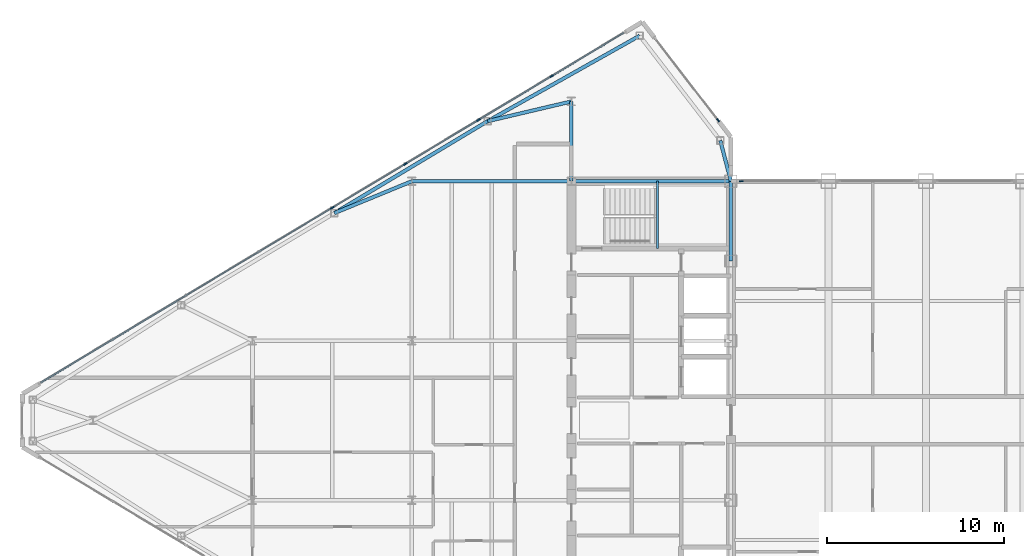
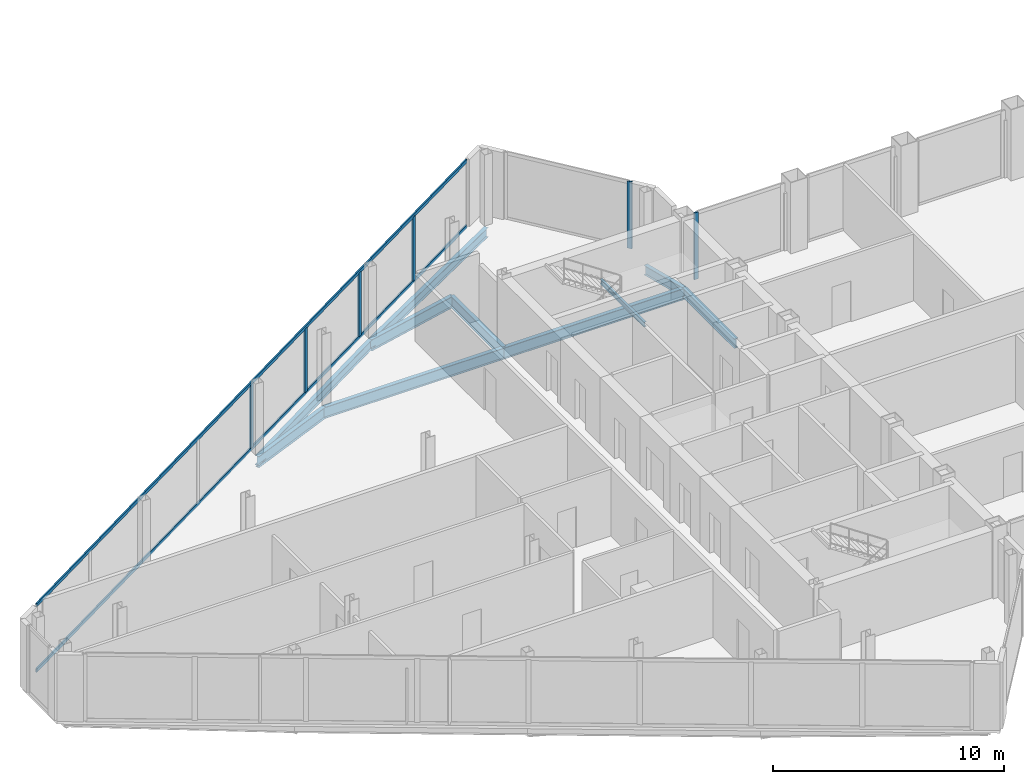
# One storey, part 11 of 29: 10 beams, 8 members, 3 elements without a shape of their own.
"""IFC4 building model written with IfcOpenShell, lengths in metres."""

from ifc_helpers import new_model, si_unit, direction, frame, origin, origin_2d, place, context, subcontext, project, spatial, rectangle, i_section, extrude, source, transform, mapped, material, layer, layer_set, material_profile, profile_set, type_object, type_shapes, element, aggregate, save


model = new_model("IFC4")

# Units and contexts
model_context = context("Model", 3, precision=1e-05, world=origin(), true_north=direction((0.0, 1.0)))
body_context = subcontext(model_context, "Body", "Model", "MODEL_VIEW")
ifc_project = project(units=[si_unit("LENGTHUNIT", "METRE"), si_unit("AREAUNIT", "SQUARE_METRE"), si_unit("VOLUMEUNIT", "CUBIC_METRE"), si_unit("PLANEANGLEUNIT", "RADIAN"), si_unit("MASSUNIT", "GRAM", prefix="KILO")], contexts=[model_context])

# Site, building, storey
site_placement = place(None, origin())
site = spatial("IfcSite", under=ifc_project, at=site_placement, CompositionType="ELEMENT")
building_placement = place(site_placement, origin())
building = spatial("IfcBuilding", under=site, at=building_placement, Name="Seokmaru Belvedere", CompositionType="ELEMENT")
storey_placement = place(building_placement, frame((0.0, 0.0, 254.39990234375)))
storey = spatial("IfcBuildingStorey", under=building, at=storey_placement, Name="L67", CompositionType="ELEMENT", Elevation=254.39990234375)

# Beams
ifc_material_1 = material(Name="Steel SM355 (355 MPa)", Category="steel")
ifc_material_profile_1 = material_profile(ifc_material_1, i_section(OverallWidth=0.199951171875, OverallDepth=0.5, WebThickness=0.010009765625, FlangeThickness=0.01611328125, at=origin_2d()), Name="H-500x200x10x16")
ifc_profile_set_1 = profile_set([ifc_material_profile_1], Name="Steel SM355 (355 MPa)")
beam_type_1 = type_object("IfcBeamType", Name="Perimeter Spandrel Beam H-500", PredefinedType="SPANDREL", material=ifc_profile_set_1)
shared_shape_1 = source(origin(), body_context, "Body", "SweptSolid", [
    extrude(i_section(OverallWidth=0.199951171875, OverallDepth=0.5, WebThickness=0.010009765625, FlangeThickness=0.01611328125, at=origin_2d()), origin(), (0.0, 0.0, 1.0), 4.5),
])
beam_1_placement = place(storey_placement, frame((-27.5, 9.0, -0.469970703125), z_axis=(0.0, 1.0, 0.0), x_axis=(-1.0, 0.0, 0.0)))
element("IfcBeam", 1, at=beam_1_placement, inside=storey, type_object=beam_type_1, Name="L67 W Portal Spine Spandrel 5", PredefinedType="SPANDREL", context=body_context, shape_type="MappedRepresentation", body=[
    mapped(shared_shape_1, transform((0.0, 0.0, 0.0), scale=1.0)),
])
ifc_material_profile_2 = material_profile(ifc_material_1, i_section(OverallWidth=0.199951171875, OverallDepth=0.60009765625, WebThickness=0.010986328125, FlangeThickness=0.01708984375, at=origin_2d()), Name="H-600x200x11x17")
ifc_profile_set_2 = profile_set([ifc_material_profile_2], Name="Steel SM355 (355 MPa)")
beam_type_2 = type_object("IfcBeamType", Name="Primary Floor Girder H-600", PredefinedType="BEAM", material=ifc_profile_set_2)
shared_shape_2 = source(origin(), body_context, "Body", "SweptSolid", [
    extrude(i_section(OverallWidth=0.199951171875, OverallDepth=0.60009765625, WebThickness=0.010986328125, FlangeThickness=0.01708984375, at=origin_2d()), origin(), (0.0, 0.0, 1.0), 9.0),
])
for number, where, z_axis, x_axis, name in (
    (2, (-36.5, 13.5, -0.52001953125), (1.0, 0.0, 0.0), (0.0, 1.0, 0.0), "L67 W Core Tie Girder 4"),
    (3, (-45.5, 13.5, -0.52001953125), (1.0, 0.0, 0.0), (0.0, 1.0, 0.0), "L67 W Wing Primary Girder 4"),
):
    element("IfcBeam", number, at=place(storey_placement, frame(where, z_axis=z_axis, x_axis=x_axis)), inside=storey, type_object=beam_type_2, Name=name, PredefinedType="BEAM", context=body_context, shape_type="MappedRepresentation", body=[
        mapped(shared_shape_2, transform((0.0, 0.0, 0.0), scale=1.0)),
    ])
shared_shape_3 = source(origin(), body_context, "Body", "SweptSolid", [
    extrude(i_section(OverallWidth=0.199951171875, OverallDepth=0.60009765625, WebThickness=0.010986328125, FlangeThickness=0.01708984375, at=origin_2d()), origin(), (0.0, 0.0, 1.0), 4.5),
])
beam_2_placement = place(storey_placement, frame((-36.5, 13.5, -0.52001953125), z_axis=(0.0, 1.0, 0.0), x_axis=(-1.0, 0.0, 0.0)))
element("IfcBeam", 4, at=beam_2_placement, inside=storey, type_object=beam_type_2, Name="L67 W Core Shoulder Girder N", PredefinedType="BEAM", context=body_context, shape_type="MappedRepresentation", body=[
    mapped(shared_shape_3, transform((0.0, 0.0, 0.0), scale=1.0)),
])
shared_shape_4 = source(origin(), body_context, "Body", "SweptSolid", [
    extrude(i_section(OverallWidth=0.199951171875, OverallDepth=0.5, WebThickness=0.010009765625, FlangeThickness=0.01611328125, at=origin_2d()), origin(), (0.0, 0.0, 1.0), 9.842041015625),
])
beam_3_placement = place(storey_placement, frame((-32.649658203125, 21.71044921875, -0.469970703125), z_axis=(-0.871782151818, -0.489893743349, 0.0), x_axis=(0.489893743349, -0.871782151818, 0.0)))
element("IfcBeam", 5, at=beam_3_placement, inside=storey, type_object=beam_type_1, Name="L67 W Faceted Flank Spandrel N-1", PredefinedType="SPANDREL", context=body_context, shape_type="MappedRepresentation", body=[
    mapped(shared_shape_4, transform((0.0, 0.0, 0.0), scale=1.0)),
])
shared_shape_5 = source(origin(), body_context, "Body", "SweptSolid", [
    extrude(i_section(OverallWidth=0.199951171875, OverallDepth=0.5, WebThickness=0.010009765625, FlangeThickness=0.01611328125, at=origin_2d()), origin(), (0.0, 0.0, 1.0), 10.087646484375),
])
beam_4_placement = place(storey_placement, frame((-41.229736328125, 16.888916015625, -0.469970703125), z_axis=(-0.857499332045, -0.514485078056, 0.0), x_axis=(0.514485078056, -0.857499332045, 0.0)))
element("IfcBeam", 6, at=beam_4_placement, inside=storey, type_object=beam_type_1, Name="L67 W Faceted Flank Spandrel N-2", PredefinedType="SPANDREL", context=body_context, shape_type="MappedRepresentation", body=[
    mapped(shared_shape_5, transform((0.0, 0.0, 0.0), scale=1.0)),
])
shared_shape_6 = source(origin(), body_context, "Body", "SweptSolid", [
    extrude(i_section(OverallWidth=0.199951171875, OverallDepth=0.5, WebThickness=0.010009765625, FlangeThickness=0.01611328125, at=origin_2d()), origin(), (0.0, 0.0, 1.0), 2.373046875),
])
type_shapes(beam_type_1, [shared_shape_1, shared_shape_4, shared_shape_5, shared_shape_6])
beam_5_placement = place(storey_placement, frame((-28.10009765625, 15.7958984375, -0.469970703125), z_axis=(0.252882558842, -0.967496982648, 0.0), x_axis=(0.967496982648, 0.252882558842, 0.0)))
element("IfcBeam", 7, at=beam_5_placement, inside=storey, type_object=beam_type_1, Name="L67 W Shoulder Spine Spandrel N", PredefinedType="SPANDREL", context=body_context, shape_type="MappedRepresentation", body=[
    mapped(shared_shape_6, transform((0.0, 0.0, 0.0), scale=1.0)),
])
shared_shape_7 = source(origin(), body_context, "Body", "SweptSolid", [
    extrude(i_section(OverallWidth=0.199951171875, OverallDepth=0.60009765625, WebThickness=0.010986328125, FlangeThickness=0.01708984375, at=origin_2d()), origin(), (0.0, 0.0, 1.0), 4.8583984375),
])
beam_6_placement = place(storey_placement, frame((-41.229736328125, 16.888916015625, -0.52001953125), z_axis=(0.97349948295, 0.228689214211, 0.0), x_axis=(-0.228689214211, 0.97349948295, 0.0)))
element("IfcBeam", 8, at=beam_6_placement, inside=storey, type_object=beam_type_2, Name="L67 W Flank Radial Floor Girder N-1", PredefinedType="BEAM", context=body_context, shape_type="MappedRepresentation", body=[
    mapped(shared_shape_7, transform((0.0, 0.0, 0.0), scale=1.0)),
])
shared_shape_8 = source(origin(), body_context, "Body", "SweptSolid", [
    extrude(i_section(OverallWidth=0.199951171875, OverallDepth=0.60009765625, WebThickness=0.010986328125, FlangeThickness=0.01708984375, at=origin_2d()), origin(), (0.0, 0.0, 1.0), 4.73583984375),
])
type_shapes(beam_type_2, [shared_shape_2, shared_shape_3, shared_shape_7, shared_shape_8])
beam_7_placement = place(storey_placement, frame((-49.8798828125, 11.698974609375, -0.52001953125), z_axis=(0.924860562953, 0.380306375301, 0.0), x_axis=(-0.380306375301, 0.924860562953, 0.0)))
element("IfcBeam", 9, at=beam_7_placement, inside=storey, type_object=beam_type_2, Name="L67 W Flank Radial Floor Girder N-2", PredefinedType="BEAM", context=body_context, shape_type="MappedRepresentation", body=[
    mapped(shared_shape_8, transform((0.0, 0.0, 0.0), scale=1.0)),
])

# Curtain wall, members
ifc_material_2 = material(Name="Bronze Triple Insulating Glass", Category="glass")
ifc_layer = layer(ifc_material_2, 0.219970703125)
ifc_layer_set = layer_set([ifc_layer], Name="Bronze Triple Insulating Glass")
curtain_wall_type = type_object("IfcCurtainWallType", Name="Sky-Gate Bridge Panorama Curtain Wall System CW-6", PredefinedType="NOTDEFINED", material=ifc_layer_set)
curtain_wall_1_placement = place(storey_placement, origin())
curtain_wall_1 = element("IfcCurtainWall", 10, at=curtain_wall_1_placement, inside=storey, type_object=curtain_wall_type, Name="L67 Curtain Wall WF3", PredefinedType="NOTDEFINED")
ifc_material_3 = material(Name="Anodised Bronze Aluminium", Category="aluminium")
ifc_material_profile_3 = material_profile(ifc_material_3, rectangle(XDim=0.074951171875, YDim=0.179931640625, at=origin_2d()), Name="CW-T-75x180")
ifc_profile_set_3 = profile_set([ifc_material_profile_3], Name="Anodised Bronze Aluminium")
member_type_1 = type_object("IfcMemberType", Name="Bronze Unitised Transom 75x180", PredefinedType="USERDEFINED", material=ifc_profile_set_3)
shared_shape_9 = source(origin(), body_context, "Body", "SweptSolid", [
    extrude(rectangle(XDim=0.074951171875, YDim=0.179931640625, at=origin_2d()), origin(), (0.0, 0.0, 1.0), 38.356689453125),
])
type_shapes(member_type_1, [shared_shape_9])
member_1_placement = place(storey_placement, frame((-33.5546875, 21.8671875, 0.03759765625), z_axis=(-0.857492925713, -0.514495755428, 0.0), x_axis=(0.514495755428, -0.857492925713, 0.0)))
member_1 = element("IfcMember", 11, at=member_1_placement, type_object=member_type_1, Name="CW:L67:WF3 Continuous Transom 1", ObjectType="TRANSOM", PredefinedType="USERDEFINED", context=body_context, shape_type="MappedRepresentation", body=[
    mapped(shared_shape_9, transform((0.0, 0.0, 0.0), scale=1.0)),
])
member_2_placement = place(storey_placement, frame((-33.5546875, 21.8671875, 3.49267578125), z_axis=(-0.857492925713, -0.514495755428, 0.0), x_axis=(0.514495755428, -0.857492925713, 0.0)))
member_2 = element("IfcMember", 12, at=member_2_placement, type_object=member_type_1, Name="CW:L67:WF3 Continuous Transom 2", ObjectType="TRANSOM", PredefinedType="USERDEFINED", context=body_context, shape_type="MappedRepresentation", body=[
    mapped(shared_shape_9, transform((0.0, 0.0, 0.0), scale=1.0)),
])

# Curtain wall, member
curtain_wall_2_placement = place(storey_placement, origin())
curtain_wall_2 = element("IfcCurtainWall", 13, at=curtain_wall_2_placement, inside=storey, type_object=curtain_wall_type, Name="L67 Curtain Wall WF2", PredefinedType="NOTDEFINED")
ifc_material_profile_4 = material_profile(ifc_material_3, rectangle(XDim=0.080078125, YDim=0.219970703125, at=origin_2d()), Name="CW-M-80x220")
ifc_profile_set_4 = profile_set([ifc_material_profile_4], Name="Anodised Bronze Aluminium")
member_type_2 = type_object("IfcMemberType", Name="Bronze Unitised Mullion 80x220", PredefinedType="MULLION", material=ifc_profile_set_4)
shared_shape_10 = source(origin(), body_context, "Body", "SweptSolid", [
    extrude(rectangle(XDim=0.080078125, YDim=0.219970703125, at=origin_2d()), origin(), (0.0, 0.0, 1.0), 3.530029296875),
])
member_3_placement = place(storey_placement, frame((-28.2255859375, 16.943115234375, 0.0), z_axis=(0.0, 0.0, 1.0), x_axis=(-0.792631353244, -0.609701187349, 0.0)))
member_3 = element("IfcMember", 14, at=member_3_placement, type_object=member_type_2, Name="CW:L67:WF2 Mullion 1", PredefinedType="MULLION", context=body_context, shape_type="MappedRepresentation", body=[
    mapped(shared_shape_10, transform((0.0, 0.0, 0.0), scale=1.0)),
])
aggregate(curtain_wall_2, [member_3])

curtain_wall_3_placement = place(storey_placement, origin())
curtain_wall_3 = element("IfcCurtainWall", 15, at=curtain_wall_3_placement, inside=storey, type_object=curtain_wall_type, Name="L67 Curtain Wall BR_N01", PredefinedType="NOTDEFINED")
member_4_placement = place(storey_placement, frame((-26.909912109375, 13.5, 0.0), z_axis=(0.0, 0.0, 1.0), x_axis=(0.0, -1.0, 0.0)))
member_4 = element("IfcMember", 16, at=member_4_placement, type_object=member_type_2, Name="CW:L67:BR_N01 Mullion 2", PredefinedType="MULLION", context=body_context, shape_type="MappedRepresentation", body=[
    mapped(shared_shape_10, transform((0.0, 0.0, 0.0), scale=1.0)),
])
aggregate(curtain_wall_3, [member_4])

# Member
shared_shape_11 = source(origin(), body_context, "Body", "SweptSolid", [
    extrude(rectangle(XDim=0.080078125, YDim=0.219970703125, at=origin_2d()), origin(), (0.0, 0.0, 1.0), 3.3798828125),
])
type_shapes(member_type_2, [shared_shape_10, shared_shape_11])
member_5_placement = place(storey_placement, frame((-37.614501953125, 19.43115234375, 0.0751953125), z_axis=(0.0, 0.0, 1.0), x_axis=(0.514494909364, -0.85749343335, 0.0)))
member_5 = element("IfcMember", 17, at=member_5_placement, type_object=member_type_2, Name="CW:L67:WF3 Mullion 2", PredefinedType="MULLION", context=body_context, shape_type="MappedRepresentation", body=[
    mapped(shared_shape_11, transform((0.0, 0.0, 0.0), scale=1.0)),
])

member_6_placement = place(storey_placement, frame((-41.7431640625, 16.9541015625, 0.0751953125), z_axis=(0.0, 0.0, 1.0), x_axis=(0.514494909364, -0.85749343335, 0.0)))
member_6 = element("IfcMember", 18, at=member_6_placement, type_object=member_type_2, Name="CW:L67:WF3 Mullion 3", PredefinedType="MULLION", context=body_context, shape_type="MappedRepresentation", body=[
    mapped(shared_shape_11, transform((0.0, 0.0, 0.0), scale=1.0)),
])

member_7_placement = place(storey_placement, frame((-45.87158203125, 14.47705078125, 0.0751953125), z_axis=(0.0, 0.0, 1.0), x_axis=(0.514494909364, -0.85749343335, 0.0)))
member_7 = element("IfcMember", 19, at=member_7_placement, type_object=member_type_2, Name="CW:L67:WF3 Mullion 4", PredefinedType="MULLION", context=body_context, shape_type="MappedRepresentation", body=[
    mapped(shared_shape_11, transform((0.0, 0.0, 0.0), scale=1.0)),
])

member_8_placement = place(storey_placement, frame((-50.0, 12.0, 0.0751953125), z_axis=(0.0, 0.0, 1.0), x_axis=(0.514494909364, -0.85749343335, 0.0)))
member_8 = element("IfcMember", 20, at=member_8_placement, type_object=member_type_2, Name="CW:L67:WF3 Mullion 5", PredefinedType="MULLION", context=body_context, shape_type="MappedRepresentation", body=[
    mapped(shared_shape_11, transform((0.0, 0.0, 0.0), scale=1.0)),
])

aggregate(curtain_wall_1, [member_5, member_6, member_7, member_8, member_1, member_2])

# Beam
ifc_material_profile_5 = material_profile(ifc_material_1, i_section(OverallWidth=0.125, OverallDepth=0.25, WebThickness=0.006103515625, FlangeThickness=0.009033203125, at=origin_2d()), Name="H-250x125x6x9")
ifc_profile_set_5 = profile_set([ifc_material_profile_5], Name="Steel SM355 (355 MPa)")
beam_type_3 = type_object("IfcBeamType", Name="Stair Mid-Landing Support Beam H-250", PredefinedType="JOIST", material=ifc_profile_set_5)
shared_shape_12 = source(origin(), body_context, "Body", "SweptSolid", [
    extrude(i_section(OverallWidth=0.125, OverallDepth=0.25, WebThickness=0.006103515625, FlangeThickness=0.009033203125, at=origin_2d()), origin(), (0.0, 0.0, 1.0), 3.800048828125),
])
type_shapes(beam_type_3, [shared_shape_12])
beam_8_placement = place(storey_placement, frame((-31.64990234375, 9.699951171875, 1.550048828125), z_axis=(0.0, 1.0, 0.0), x_axis=(-1.0, 0.0, 0.0)))
element("IfcBeam", 21, at=beam_8_placement, inside=storey, type_object=beam_type_3, Name="L67 Stair ST-W2 Mid-Landing Support Beam 1", PredefinedType="JOIST", context=body_context, shape_type="MappedRepresentation", body=[
    mapped(shared_shape_12, transform((0.0, 0.0, 0.0), scale=1.0)),
])

save(model, "model.ifc")
